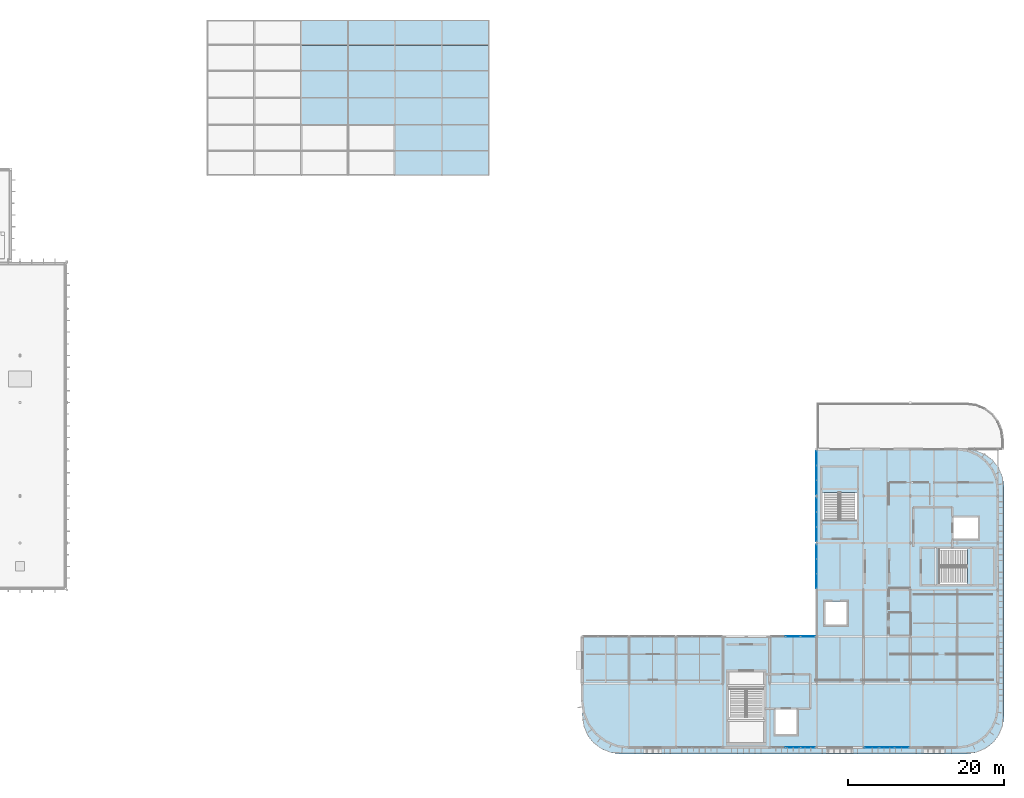
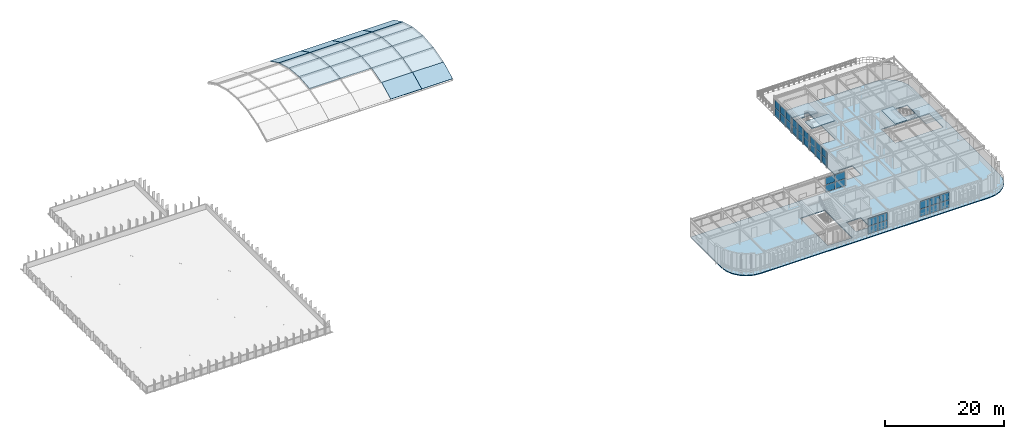
# One storey, part 11 of 27: 32 plates, 25 slabs, 8 elements without a shape of their own.
"""IFC4 building model written with IfcOpenShell, lengths in metres."""

from ifc_helpers import new_model, si_unit, direction, frame, origin, origin_2d, place, context, subcontext, project, spatial, polyline, rectangle, outline, extrude, material, layer, layer_set, type_object, element, aggregate, save


model = new_model("IFC4")

# Units and contexts
model_context = context("Model", 3, precision=1e-05, world=origin(), true_north=direction((0.0, 1.0)))
body_context = subcontext(model_context, "Body", "Model", "MODEL_VIEW")
ifc_project = project(units=[si_unit("LENGTHUNIT", "METRE"), si_unit("AREAUNIT", "SQUARE_METRE"), si_unit("VOLUMEUNIT", "CUBIC_METRE"), si_unit("PLANEANGLEUNIT", "RADIAN"), si_unit("MASSUNIT", "GRAM", prefix="KILO")], contexts=[model_context])

# Site, building, storey
site_placement = place(None, origin())
site = spatial("IfcSite", under=ifc_project, at=site_placement, CompositionType="ELEMENT")
building_placement = place(site_placement, origin())
building = spatial("IfcBuilding", under=site, at=building_placement, Name="Varnakota Square Police Headquarters", CompositionType="ELEMENT")
storey_placement = place(building_placement, frame((0.0, 0.0, 26.10009765625)))
storey = spatial("IfcBuildingStorey", under=building, at=storey_placement, Name="L06", CompositionType="ELEMENT", Elevation=26.10009765625)

# Curtain wall, plates
ifc_material_1 = material(Name="Anodised Aluminium Framing", Category="aluminium")
curtain_wall_type_1 = type_object("IfcCurtainWallType", Name="CW-SYS-F", PredefinedType="NOTDEFINED", material=ifc_material_1)
curtain_wall_1_placement = place(storey_placement, origin())
curtain_wall_1 = element("IfcCurtainWall", 1, at=curtain_wall_1_placement, inside=storey, type_object=curtain_wall_type_1, Name="Unitised curtain wall CWG-L06-111", PredefinedType="NOTDEFINED")
ifc_material_2 = material(Name="Solar-Control Laminated Double Glazing", Category="glass")
ifc_layer_1 = layer(ifc_material_2, 0.028076171875, Name="Solar-Control Laminated Double Glazing")
ifc_layer_set_1 = layer_set([ifc_layer_1], Name="Solar-Control Laminated Double Glazing")
plate_type_1 = type_object("IfcPlateType", Name="CWP-GLZ-28", PredefinedType="CURTAIN_PANEL", material=ifc_layer_set_1)
plate_1_placement = place(storey_placement, frame((135.012451171875, 0.800048828125, 0.06494140625), z_axis=(0.0, 0.0, 1.0), x_axis=(1.0, 0.0, 0.0)))
plate_1 = element("IfcPlate", 2, at=plate_1_placement, type_object=plate_type_1, Name="CWG-L06-111 panel 2.1", PredefinedType="CURTAIN_PANEL", context=body_context, shape_type="SweptSolid", body=[
    extrude(rectangle(XDim=1.856689453125, YDim=0.028076171875, at=origin_2d()), origin(), (0.0, 0.0, 1.0), 1.54248046875),
])
plate_2_placement = place(storey_placement, frame((136.91796875, 0.800048828125, 0.06494140625), z_axis=(0.0, 0.0, 1.0), x_axis=(1.0, 0.0, 0.0)))
plate_2 = element("IfcPlate", 3, at=plate_2_placement, type_object=plate_type_1, Name="CWG-L06-111 panel 3.1", PredefinedType="CURTAIN_PANEL", context=body_context, shape_type="SweptSolid", body=[
    extrude(rectangle(XDim=1.82421875, YDim=0.028076171875, at=origin_2d()), origin(), (0.0, 0.0, 1.0), 1.54248046875),
])

curtain_wall_type_2 = type_object("IfcCurtainWallType", Name="CW-SYS-E", PredefinedType="NOTDEFINED", material=ifc_material_1)
curtain_wall_2_placement = place(storey_placement, origin())
curtain_wall_2 = element("IfcCurtainWall", 4, at=curtain_wall_2_placement, inside=storey, type_object=curtain_wall_type_2, Name="Unitised curtain wall CWG-L06-119", PredefinedType="NOTDEFINED")
plate_3_placement = place(storey_placement, frame((138.0, 34.0986328125, 0.06494140625), z_axis=(0.0, 0.0, 1.0), x_axis=(0.0, 1.0, 0.0)))
plate_3 = element("IfcPlate", 5, at=plate_3_placement, type_object=plate_type_1, Name="CWG-L06-119 panel 1.1", PredefinedType="CURTAIN_PANEL", context=body_context, shape_type="SweptSolid", body=[
    extrude(rectangle(XDim=1.8076171875, YDim=0.028076171875, at=origin_2d()), origin(), (0.0, 0.0, 1.0), 1.517578125),
])
plate_4_placement = place(storey_placement, frame((138.0, 35.987548828125, 0.06494140625), z_axis=(0.0, 0.0, 1.0), x_axis=(0.0, 1.0, 0.0)))
plate_4 = element("IfcPlate", 6, at=plate_4_placement, type_object=plate_type_1, Name="CWG-L06-119 panel 2.1", PredefinedType="CURTAIN_PANEL", context=body_context, shape_type="SweptSolid", body=[
    extrude(rectangle(XDim=1.840087890625, YDim=0.028076171875, at=origin_2d()), origin(), (0.0, 0.0, 1.0), 1.517578125),
])
plate_5_placement = place(storey_placement, frame((138.0, 37.876220703125, 0.06494140625), z_axis=(0.0, 0.0, 1.0), x_axis=(0.0, 1.0, 0.0)))
plate_5 = element("IfcPlate", 7, at=plate_5_placement, type_object=plate_type_1, Name="CWG-L06-119 panel 3.1", PredefinedType="CURTAIN_PANEL", context=body_context, shape_type="SweptSolid", body=[
    extrude(rectangle(XDim=1.8076171875, YDim=0.028076171875, at=origin_2d()), origin(), (0.0, 0.0, 1.0), 1.517578125),
])

curtain_wall_3_placement = place(storey_placement, origin())
curtain_wall_3 = element("IfcCurtainWall", 8, at=curtain_wall_3_placement, inside=storey, type_object=curtain_wall_type_1, Name="Unitised curtain wall CWG-L06-112", PredefinedType="NOTDEFINED")
ifc_material_3 = material(Name="Acoustic Laminated Double Glazing", Category="glass")
ifc_layer_2 = layer(ifc_material_3, 0.031982421875, Name="Acoustic Laminated Double Glazing")
ifc_layer_set_2 = layer_set([ifc_layer_2], Name="Acoustic Laminated Double Glazing")
plate_type_2 = type_object("IfcPlateType", Name="CWP-GLZ-32", PredefinedType="CURTAIN_PANEL", material=ifc_layer_set_2)
plate_6_placement = place(storey_placement, frame((145.10302734375, 0.800048828125, 0.06494140625), z_axis=(0.0, 0.0, 1.0), x_axis=(1.0, 0.0, 0.0)))
plate_6 = element("IfcPlate", 9, at=plate_6_placement, type_object=plate_type_2, Name="CWG-L06-112 panel 1.1", PredefinedType="CURTAIN_PANEL", context=body_context, shape_type="SweptSolid", body=[
    extrude(rectangle(XDim=1.81591796875, YDim=0.031982421875, at=origin_2d()), origin(), (0.0, 0.0, 1.0), 1.54248046875),
])
plate_7_placement = place(storey_placement, frame((147.0, 0.800048828125, 0.06494140625), z_axis=(0.0, 0.0, 1.0), x_axis=(1.0, 0.0, 0.0)))
plate_7 = element("IfcPlate", 10, at=plate_7_placement, type_object=plate_type_2, Name="CWG-L06-112 panel 2.1", PredefinedType="CURTAIN_PANEL", context=body_context, shape_type="SweptSolid", body=[
    extrude(rectangle(XDim=1.848388671875, YDim=0.031982421875, at=origin_2d()), origin(), (0.0, 0.0, 1.0), 1.54248046875),
])
plate_8_placement = place(storey_placement, frame((148.89697265625, 0.800048828125, 0.06494140625), z_axis=(0.0, 0.0, 1.0), x_axis=(1.0, 0.0, 0.0)))
plate_8 = element("IfcPlate", 11, at=plate_8_placement, type_object=plate_type_2, Name="CWG-L06-112 panel 3.1", PredefinedType="CURTAIN_PANEL", context=body_context, shape_type="SweptSolid", body=[
    extrude(rectangle(XDim=1.81591796875, YDim=0.031982421875, at=origin_2d()), origin(), (0.0, 0.0, 1.0), 1.54248046875),
])

curtain_wall_type_3 = type_object("IfcCurtainWallType", Name="CW-SYS-D", PredefinedType="NOTDEFINED", material=ifc_material_1)
curtain_wall_4_placement = place(storey_placement, origin())
curtain_wall_4 = element("IfcCurtainWall", 12, at=curtain_wall_4_placement, inside=storey, type_object=curtain_wall_type_3, Name="Unitised curtain wall CWG-L06-116", PredefinedType="NOTDEFINED")
plate_9_placement = place(storey_placement, frame((135.0, 15.0, 0.06494140625), z_axis=(0.0, 0.0, 1.0), x_axis=(1.0, 0.0, 0.0)))
plate_9 = element("IfcPlate", 13, at=plate_9_placement, type_object=plate_type_2, Name="CWG-L06-116 panel 2.1", PredefinedType="CURTAIN_PANEL", context=body_context, shape_type="SweptSolid", body=[
    extrude(rectangle(XDim=1.848388671875, YDim=0.031982421875, at=origin_2d()), origin(), (0.0, 0.0, 1.0), 1.4423828125),
])
plate_10_placement = place(storey_placement, frame((136.89697265625, 15.0, 0.06494140625), z_axis=(0.0, 0.0, 1.0), x_axis=(1.0, 0.0, 0.0)))
plate_10 = element("IfcPlate", 14, at=plate_10_placement, type_object=plate_type_2, Name="CWG-L06-116 panel 3.1", PredefinedType="CURTAIN_PANEL", context=body_context, shape_type="SweptSolid", body=[
    extrude(rectangle(XDim=1.81591796875, YDim=0.031982421875, at=origin_2d()), origin(), (0.0, 0.0, 1.0), 1.4423828125),
])

curtain_wall_5_placement = place(storey_placement, origin())
curtain_wall_5 = element("IfcCurtainWall", 15, at=curtain_wall_5_placement, inside=storey, type_object=curtain_wall_type_2, Name="Unitised curtain wall CWG-L06-117", PredefinedType="NOTDEFINED")
ifc_material_4 = material(Name="Blast-Resistant Laminated Glazing", Category="glass")
ifc_layer_3 = layer(ifc_material_4, 0.035888671875, Name="Blast-Resistant Laminated Glazing")
ifc_layer_set_3 = layer_set([ifc_layer_3], Name="Blast-Resistant Laminated Glazing")
plate_type_3 = type_object("IfcPlateType", Name="CWP-GLZ-36", PredefinedType="CURTAIN_PANEL", material=ifc_layer_set_3)
plate_11_placement = place(storey_placement, frame((138.0, 22.11962890625, 0.06494140625), z_axis=(0.0, 0.0, 1.0), x_axis=(0.0, 1.0, 0.0)))
plate_11 = element("IfcPlate", 16, at=plate_11_placement, type_object=plate_type_3, Name="CWG-L06-117 panel 1.1", PredefinedType="CURTAIN_PANEL", context=body_context, shape_type="SweptSolid", body=[
    extrude(rectangle(XDim=1.799072265625, YDim=0.035888671875, at=origin_2d()), origin(), (0.0, 0.0, 1.0), 1.4423828125),
])
plate_12_placement = place(storey_placement, frame((138.0, 24.0, 0.06494140625), z_axis=(0.0, 0.0, 1.0), x_axis=(0.0, 1.0, 0.0)))
plate_12 = element("IfcPlate", 17, at=plate_12_placement, type_object=plate_type_3, Name="CWG-L06-117 panel 2.1", PredefinedType="CURTAIN_PANEL", context=body_context, shape_type="SweptSolid", body=[
    extrude(rectangle(XDim=1.831787109375, YDim=0.035888671875, at=origin_2d()), origin(), (0.0, 0.0, 1.0), 1.4423828125),
])
plate_13_placement = place(storey_placement, frame((138.0, 25.88037109375, 0.06494140625), z_axis=(0.0, 0.0, 1.0), x_axis=(0.0, 1.0, 0.0)))
plate_13 = element("IfcPlate", 18, at=plate_13_placement, type_object=plate_type_3, Name="CWG-L06-117 panel 3.1", PredefinedType="CURTAIN_PANEL", context=body_context, shape_type="SweptSolid", body=[
    extrude(rectangle(XDim=1.799072265625, YDim=0.035888671875, at=origin_2d()), origin(), (0.0, 0.0, 1.0), 1.4423828125),
])

curtain_wall_6_placement = place(storey_placement, origin())
curtain_wall_6 = element("IfcCurtainWall", 19, at=curtain_wall_6_placement, inside=storey, type_object=curtain_wall_type_2, Name="Unitised curtain wall CWG-L06-118", PredefinedType="NOTDEFINED")
ifc_material_5 = material(Name="Triple-Glazed Clean-Lab Vision Unit", Category="aluminium")
ifc_layer_4 = layer(ifc_material_5, 0.0419921875, Name="Triple-Glazed Clean-Lab Vision Unit")
ifc_layer_set_4 = layer_set([ifc_layer_4], Name="Triple-Glazed Clean-Lab Vision Unit")
plate_type_4 = type_object("IfcPlateType", Name="CWP-GLZ-42", PredefinedType="CURTAIN_PANEL", material=ifc_layer_set_4)
plate_14_placement = place(storey_placement, frame((138.0, 28.123779296875, 0.06494140625), z_axis=(0.0, 0.0, 1.0), x_axis=(0.0, 1.0, 0.0)))
plate_14 = element("IfcPlate", 20, at=plate_14_placement, type_object=plate_type_4, Name="CWG-L06-118 panel 1.1", PredefinedType="CURTAIN_PANEL", context=body_context, shape_type="SweptSolid", body=[
    extrude(rectangle(XDim=1.8076171875, YDim=0.0419921875, at=origin_2d()), origin(), (0.0, 0.0, 1.0), 1.4423828125),
])
plate_15_placement = place(storey_placement, frame((138.0, 30.012451171875, 0.06494140625), z_axis=(0.0, 0.0, 1.0), x_axis=(0.0, 1.0, 0.0)))
plate_15 = element("IfcPlate", 21, at=plate_15_placement, type_object=plate_type_4, Name="CWG-L06-118 panel 2.1", PredefinedType="CURTAIN_PANEL", context=body_context, shape_type="SweptSolid", body=[
    extrude(rectangle(XDim=1.840087890625, YDim=0.0419921875, at=origin_2d()), origin(), (0.0, 0.0, 1.0), 1.4423828125),
])
plate_16_placement = place(storey_placement, frame((138.0, 31.9013671875, 0.06494140625), z_axis=(0.0, 0.0, 1.0), x_axis=(0.0, 1.0, 0.0)))
plate_16 = element("IfcPlate", 22, at=plate_16_placement, type_object=plate_type_4, Name="CWG-L06-118 panel 3.1", PredefinedType="CURTAIN_PANEL", context=body_context, shape_type="SweptSolid", body=[
    extrude(rectangle(XDim=1.8076171875, YDim=0.0419921875, at=origin_2d()), origin(), (0.0, 0.0, 1.0), 1.4423828125),
])

# Plate
ifc_material_6 = material(Name="Insulated Anodised Aluminium Spandrel Panel", Category="aluminium")
ifc_layer_5 = layer(ifc_material_6, 0.050048828125, Name="Insulated Anodised Aluminium Spandrel Panel")
ifc_layer_set_5 = layer_set([ifc_layer_5], Name="Insulated Anodised Aluminium Spandrel Panel")
plate_type_5 = type_object("IfcPlateType", Name="CWP-SPN-50", PredefinedType="CURTAIN_PANEL", material=ifc_layer_set_5)
plate_17_placement = place(storey_placement, frame((135.012451171875, 0.800048828125, 1.67236328125), z_axis=(0.0, 0.0, 1.0), x_axis=(1.0, 0.0, 0.0)))
plate_17 = element("IfcPlate", 23, at=plate_17_placement, type_object=plate_type_5, Name="CWG-L06-111 panel 2.2", PredefinedType="CURTAIN_PANEL", context=body_context, shape_type="SweptSolid", body=[
    extrude(rectangle(XDim=1.856689453125, YDim=0.050048828125, at=origin_2d()), origin(), (0.0, 0.0, 1.0), 1.54248046875),
])

plate_18_placement = place(storey_placement, frame((136.91796875, 0.800048828125, 1.67236328125), z_axis=(0.0, 0.0, 1.0), x_axis=(1.0, 0.0, 0.0)))
plate_18 = element("IfcPlate", 24, at=plate_18_placement, type_object=plate_type_5, Name="CWG-L06-111 panel 3.2", PredefinedType="CURTAIN_PANEL", context=body_context, shape_type="SweptSolid", body=[
    extrude(rectangle(XDim=1.82421875, YDim=0.050048828125, at=origin_2d()), origin(), (0.0, 0.0, 1.0), 1.54248046875),
])

aggregate(curtain_wall_1, [plate_1, plate_17, plate_2, plate_18])

plate_19_placement = place(storey_placement, frame((138.0, 22.11962890625, 1.572509765625), z_axis=(0.0, 0.0, 1.0), x_axis=(0.0, 1.0, 0.0)))
plate_19 = element("IfcPlate", 25, at=plate_19_placement, type_object=plate_type_5, Name="CWG-L06-117 panel 1.2", PredefinedType="CURTAIN_PANEL", context=body_context, shape_type="SweptSolid", body=[
    extrude(rectangle(XDim=1.799072265625, YDim=0.050048828125, at=origin_2d()), origin(), (0.0, 0.0, 1.0), 1.4423828125),
])

plate_20_placement = place(storey_placement, frame((138.0, 24.0, 1.572509765625), z_axis=(0.0, 0.0, 1.0), x_axis=(0.0, 1.0, 0.0)))
plate_20 = element("IfcPlate", 26, at=plate_20_placement, type_object=plate_type_5, Name="CWG-L06-117 panel 2.2", PredefinedType="CURTAIN_PANEL", context=body_context, shape_type="SweptSolid", body=[
    extrude(rectangle(XDim=1.831787109375, YDim=0.050048828125, at=origin_2d()), origin(), (0.0, 0.0, 1.0), 1.4423828125),
])

plate_21_placement = place(storey_placement, frame((138.0, 25.88037109375, 1.572509765625), z_axis=(0.0, 0.0, 1.0), x_axis=(0.0, 1.0, 0.0)))
plate_21 = element("IfcPlate", 27, at=plate_21_placement, type_object=plate_type_5, Name="CWG-L06-117 panel 3.2", PredefinedType="CURTAIN_PANEL", context=body_context, shape_type="SweptSolid", body=[
    extrude(rectangle(XDim=1.799072265625, YDim=0.050048828125, at=origin_2d()), origin(), (0.0, 0.0, 1.0), 1.4423828125),
])

aggregate(curtain_wall_5, [plate_11, plate_19, plate_12, plate_20, plate_13, plate_21])

plate_22_placement = place(storey_placement, frame((138.0, 34.0986328125, 1.6474609375), z_axis=(0.0, 0.0, 1.0), x_axis=(0.0, 1.0, 0.0)))
plate_22 = element("IfcPlate", 28, at=plate_22_placement, type_object=plate_type_5, Name="CWG-L06-119 panel 1.2", PredefinedType="CURTAIN_PANEL", context=body_context, shape_type="SweptSolid", body=[
    extrude(rectangle(XDim=1.8076171875, YDim=0.050048828125, at=origin_2d()), origin(), (0.0, 0.0, 1.0), 1.517578125),
])

plate_23_placement = place(storey_placement, frame((138.0, 35.987548828125, 1.6474609375), z_axis=(0.0, 0.0, 1.0), x_axis=(0.0, 1.0, 0.0)))
plate_23 = element("IfcPlate", 29, at=plate_23_placement, type_object=plate_type_5, Name="CWG-L06-119 panel 2.2", PredefinedType="CURTAIN_PANEL", context=body_context, shape_type="SweptSolid", body=[
    extrude(rectangle(XDim=1.840087890625, YDim=0.050048828125, at=origin_2d()), origin(), (0.0, 0.0, 1.0), 1.517578125),
])

plate_24_placement = place(storey_placement, frame((138.0, 37.876220703125, 1.6474609375), z_axis=(0.0, 0.0, 1.0), x_axis=(0.0, 1.0, 0.0)))
plate_24 = element("IfcPlate", 30, at=plate_24_placement, type_object=plate_type_5, Name="CWG-L06-119 panel 3.2", PredefinedType="CURTAIN_PANEL", context=body_context, shape_type="SweptSolid", body=[
    extrude(rectangle(XDim=1.8076171875, YDim=0.050048828125, at=origin_2d()), origin(), (0.0, 0.0, 1.0), 1.517578125),
])

aggregate(curtain_wall_2, [plate_3, plate_22, plate_4, plate_23, plate_5, plate_24])

ifc_material_7 = material(Name="Fire-Stopped Mineral-Wool Spandrel Panel", Category="aluminium")
ifc_layer_6 = layer(ifc_material_7, 0.06005859375, Name="Fire-Stopped Mineral-Wool Spandrel Panel")
ifc_layer_set_6 = layer_set([ifc_layer_6], Name="Fire-Stopped Mineral-Wool Spandrel Panel")
plate_type_6 = type_object("IfcPlateType", Name="CWP-SPN-60", PredefinedType="CURTAIN_PANEL", material=ifc_layer_set_6)
plate_25_placement = place(storey_placement, frame((145.10302734375, 0.800048828125, 1.67236328125), z_axis=(0.0, 0.0, 1.0), x_axis=(1.0, 0.0, 0.0)))
plate_25 = element("IfcPlate", 31, at=plate_25_placement, type_object=plate_type_6, Name="CWG-L06-112 panel 1.2", PredefinedType="CURTAIN_PANEL", context=body_context, shape_type="SweptSolid", body=[
    extrude(rectangle(XDim=1.81591796875, YDim=0.06005859375, at=origin_2d()), origin(), (0.0, 0.0, 1.0), 1.54248046875),
])

plate_26_placement = place(storey_placement, frame((147.0, 0.800048828125, 1.67236328125), z_axis=(0.0, 0.0, 1.0), x_axis=(1.0, 0.0, 0.0)))
plate_26 = element("IfcPlate", 32, at=plate_26_placement, type_object=plate_type_6, Name="CWG-L06-112 panel 2.2", PredefinedType="CURTAIN_PANEL", context=body_context, shape_type="SweptSolid", body=[
    extrude(rectangle(XDim=1.848388671875, YDim=0.06005859375, at=origin_2d()), origin(), (0.0, 0.0, 1.0), 1.54248046875),
])

plate_27_placement = place(storey_placement, frame((148.89697265625, 0.800048828125, 1.67236328125), z_axis=(0.0, 0.0, 1.0), x_axis=(1.0, 0.0, 0.0)))
plate_27 = element("IfcPlate", 33, at=plate_27_placement, type_object=plate_type_6, Name="CWG-L06-112 panel 3.2", PredefinedType="CURTAIN_PANEL", context=body_context, shape_type="SweptSolid", body=[
    extrude(rectangle(XDim=1.81591796875, YDim=0.06005859375, at=origin_2d()), origin(), (0.0, 0.0, 1.0), 1.54248046875),
])

aggregate(curtain_wall_3, [plate_6, plate_25, plate_7, plate_26, plate_8, plate_27])

plate_28_placement = place(storey_placement, frame((135.0, 15.0, 1.572509765625), z_axis=(0.0, 0.0, 1.0), x_axis=(1.0, 0.0, 0.0)))
plate_28 = element("IfcPlate", 34, at=plate_28_placement, type_object=plate_type_6, Name="CWG-L06-116 panel 2.2", PredefinedType="CURTAIN_PANEL", context=body_context, shape_type="SweptSolid", body=[
    extrude(rectangle(XDim=1.848388671875, YDim=0.06005859375, at=origin_2d()), origin(), (0.0, 0.0, 1.0), 1.4423828125),
])

plate_29_placement = place(storey_placement, frame((136.89697265625, 15.0, 1.572509765625), z_axis=(0.0, 0.0, 1.0), x_axis=(1.0, 0.0, 0.0)))
plate_29 = element("IfcPlate", 35, at=plate_29_placement, type_object=plate_type_6, Name="CWG-L06-116 panel 3.2", PredefinedType="CURTAIN_PANEL", context=body_context, shape_type="SweptSolid", body=[
    extrude(rectangle(XDim=1.81591796875, YDim=0.06005859375, at=origin_2d()), origin(), (0.0, 0.0, 1.0), 1.4423828125),
])

aggregate(curtain_wall_4, [plate_9, plate_28, plate_10, plate_29])

plate_30_placement = place(storey_placement, frame((138.0, 28.123779296875, 1.572509765625), z_axis=(0.0, 0.0, 1.0), x_axis=(0.0, 1.0, 0.0)))
plate_30 = element("IfcPlate", 36, at=plate_30_placement, type_object=plate_type_6, Name="CWG-L06-118 panel 1.2", PredefinedType="CURTAIN_PANEL", context=body_context, shape_type="SweptSolid", body=[
    extrude(rectangle(XDim=1.8076171875, YDim=0.06005859375, at=origin_2d()), origin(), (0.0, 0.0, 1.0), 1.4423828125),
])

plate_31_placement = place(storey_placement, frame((138.0, 30.012451171875, 1.572509765625), z_axis=(0.0, 0.0, 1.0), x_axis=(0.0, 1.0, 0.0)))
plate_31 = element("IfcPlate", 37, at=plate_31_placement, type_object=plate_type_6, Name="CWG-L06-118 panel 2.2", PredefinedType="CURTAIN_PANEL", context=body_context, shape_type="SweptSolid", body=[
    extrude(rectangle(XDim=1.840087890625, YDim=0.06005859375, at=origin_2d()), origin(), (0.0, 0.0, 1.0), 1.4423828125),
])

plate_32_placement = place(storey_placement, frame((138.0, 31.9013671875, 1.572509765625), z_axis=(0.0, 0.0, 1.0), x_axis=(0.0, 1.0, 0.0)))
plate_32 = element("IfcPlate", 38, at=plate_32_placement, type_object=plate_type_6, Name="CWG-L06-118 panel 3.2", PredefinedType="CURTAIN_PANEL", context=body_context, shape_type="SweptSolid", body=[
    extrude(rectangle(XDim=1.8076171875, YDim=0.06005859375, at=origin_2d()), origin(), (0.0, 0.0, 1.0), 1.4423828125),
])

aggregate(curtain_wall_6, [plate_14, plate_30, plate_15, plate_31, plate_16, plate_32])

# Slabs
ifc_material_8 = material(Name="Concrete M40", Category="concrete")
ifc_layer_7 = layer(ifc_material_8, 0.179931640625, Name="Concrete M40")
ifc_layer_set_7 = layer_set([ifc_layer_7], Name="Concrete M40")
slab_type_1 = type_object("IfcSlabType", Name="SL-COMP-180", PredefinedType="FLOOR", material=ifc_layer_set_7)
slab_1_placement = place(storey_placement, frame((0.0, 0.0, -0.18017578125)))
element("IfcSlab", 39, at=slab_1_placement, inside=storey, type_object=slab_type_1, Name="L06 Economic Offences and Women Safety Slab", PredefinedType="FLOOR", context=body_context, shape_type="SweptSolid", body=[
    extrude(outline(polyline([(108.0, 4.800048828125), (108.16357421875, 3.5576171875), (108.64306640625, 2.39990234375), (109.406005859375, 1.406005859375), (110.39990234375, 0.64306640625), (111.5576171875, 0.16357421875), (112.800048828125, 0.0), (157.199951171875, 0.0), (158.4423828125, 0.16357421875), (159.60009765625, 0.64306640625), (160.593994140625, 1.406005859375), (161.35693359375, 2.39990234375), (161.83642578125, 3.5576171875), (162.0, 4.800048828125), (162.0, 34.199951171875), (161.83642578125, 35.4423828125), (161.35693359375, 36.60009765625), (160.593994140625, 37.593994140625), (159.60009765625, 38.35693359375), (158.4423828125, 38.83642578125), (157.199951171875, 39.0), (138.0, 39.0), (138.0, 15.0), (108.0, 15.0), (108.0, 4.800048828125)]), holes=[polyline([(126.655029296875, 1.304931640625), (131.344970703125, 1.304931640625), (131.344970703125, 10.594970703125), (126.655029296875, 10.594970703125), (126.655029296875, 1.304931640625)]), polyline([(132.715087890625, 2.514892578125), (135.485107421875, 2.514892578125), (135.485107421875, 5.68505859375), (132.715087890625, 5.68505859375), (132.715087890625, 2.514892578125)]), polyline([(151.405029296875, 21.655029296875), (160.695068359375, 21.655029296875), (160.695068359375, 26.344970703125), (151.405029296875, 26.344970703125), (151.405029296875, 21.655029296875)]), polyline([(155.514892578125, 27.514892578125), (158.68505859375, 27.514892578125), (158.68505859375, 30.284912109375), (155.514892578125, 30.284912109375), (155.514892578125, 27.514892578125)]), polyline([(138.655029296875, 27.554931640625), (143.2451171875, 27.554931640625), (143.2451171875, 36.7451171875), (138.655029296875, 36.7451171875), (138.655029296875, 27.554931640625)]), polyline([(139.114990234375, 16.514892578125), (141.885009765625, 16.514892578125), (141.885009765625, 19.485107421875), (139.114990234375, 19.485107421875), (139.114990234375, 16.514892578125)])]), origin(), (0.0, 0.0, 1.0), 0.18017578125),
])
ifc_layer_8 = layer(ifc_material_8, 0.139892578125, Name="Concrete M40")
ifc_layer_set_8 = layer_set([ifc_layer_8], Name="Concrete M40")
slab_type_2 = type_object("IfcSlabType", Name="SL-VLT-140", PredefinedType="ROOF", material=ifc_layer_set_8)
for number, where, z_axis, x_axis, name in (
    (40, (72.0, 80.54248046875, 3.2783203125), (0.0, -0.092595811122, 0.995703779124), (1.0, 0.0, 0.0), "Barrel vault roof deck strip V2-B03-S05"),
    (41, (72.0, 84.0, 3.599853515625), (0.0, 0.092595811122, 0.995703779124), (1.0, 0.0, 0.0), "Barrel vault roof deck strip V2-B03-S06"),
):
    element("IfcSlab", number, at=place(storey_placement, frame(where, z_axis=z_axis, x_axis=x_axis)), inside=storey, type_object=slab_type_2, Name=name, PredefinedType="ROOF", context=body_context, shape_type="SweptSolid", body=[
        extrude(outline(polyline([(0.0, 0.0), (6.0, 0.0), (6.0, 3.4724378914081444), (0.0, 3.4724378914081444), (0.0, 0.0)])), origin(), (0.0, 0.0, -1.0), 0.139892578125),
    ])
slab_2_placement = place(storey_placement, frame((72.0, 87.45751953125, 3.2783203125), z_axis=(0.0, 0.274628265229, 0.961550474981), x_axis=(1.0, 0.0, 0.0)))
element("IfcSlab", 42, at=slab_2_placement, inside=storey, type_object=slab_type_2, Name="Barrel vault roof deck strip V2-B03-S07", PredefinedType="ROOF", context=body_context, shape_type="SweptSolid", body=[
    extrude(outline(polyline([(0.0, 0.0), (6.0, 0.0), (6.0, 3.4723784911700735), (0.0, 3.4723784911700735), (0.0, 0.0)])), origin(), (0.0, 0.0, -1.0), 0.139892578125),
])
slab_3_placement = place(storey_placement, frame((72.0, 90.79638671875, 2.32470703125), z_axis=(0.0, 0.447185470407, 0.894441252994), x_axis=(1.0, 0.0, 0.0)))
element("IfcSlab", 43, at=slab_3_placement, inside=storey, type_object=slab_type_2, Name="Barrel vault roof deck strip V2-B03-S08", PredefinedType="ROOF", context=body_context, shape_type="SweptSolid", body=[
    extrude(outline(polyline([(0.0, 0.0), (6.0, 0.0), (6.0, 3.472237981230684), (0.0, 3.472237981230684), (0.0, 0.0)])), origin(), (0.0, 0.0, -1.0), 0.139892578125),
])
for number, where, z_axis, x_axis, name in (
    (44, (78.0, 80.54248046875, 3.2783203125), (0.0, -0.092595811122, 0.995703779124), (1.0, 0.0, 0.0), "Barrel vault roof deck strip V2-B04-S05"),
    (45, (78.0, 84.0, 3.599853515625), (0.0, 0.092595811122, 0.995703779124), (1.0, 0.0, 0.0), "Barrel vault roof deck strip V2-B04-S06"),
):
    element("IfcSlab", number, at=place(storey_placement, frame(where, z_axis=z_axis, x_axis=x_axis)), inside=storey, type_object=slab_type_2, Name=name, PredefinedType="ROOF", context=body_context, shape_type="SweptSolid", body=[
        extrude(outline(polyline([(0.0, 0.0), (6.0, 0.0), (6.0, 3.4724378914081444), (0.0, 3.4724378914081444), (0.0, 0.0)])), origin(), (0.0, 0.0, -1.0), 0.139892578125),
    ])
slab_4_placement = place(storey_placement, frame((78.0, 87.45751953125, 3.2783203125), z_axis=(0.0, 0.274628265229, 0.961550474981), x_axis=(1.0, 0.0, 0.0)))
element("IfcSlab", 46, at=slab_4_placement, inside=storey, type_object=slab_type_2, Name="Barrel vault roof deck strip V2-B04-S07", PredefinedType="ROOF", context=body_context, shape_type="SweptSolid", body=[
    extrude(outline(polyline([(0.0, 0.0), (6.0, 0.0), (6.0, 3.4723784911700735), (0.0, 3.4723784911700735), (0.0, 0.0)])), origin(), (0.0, 0.0, -1.0), 0.139892578125),
])
for number, where, z_axis, x_axis, name in (
    (47, (78.0, 90.79638671875, 2.32470703125), (0.0, 0.447185470407, 0.894441252994), (1.0, 0.0, 0.0), "Barrel vault roof deck strip V2-B04-S08"),
    (48, (84.0, 74.097900390625, 0.77197265625), (0.0, -0.447185470407, 0.894441252994), (1.0, 0.0, 0.0), "Barrel vault roof deck strip V2-B05-S03"),
):
    element("IfcSlab", number, at=place(storey_placement, frame(where, z_axis=z_axis, x_axis=x_axis)), inside=storey, type_object=slab_type_2, Name=name, PredefinedType="ROOF", context=body_context, shape_type="SweptSolid", body=[
        extrude(outline(polyline([(0.0, 0.0), (6.0, 0.0), (6.0, 3.472237981230684), (0.0, 3.472237981230684), (0.0, 0.0)])), origin(), (0.0, 0.0, -1.0), 0.139892578125),
    ])
slab_5_placement = place(storey_placement, frame((84.0, 77.20361328125, 2.32470703125), z_axis=(0.0, -0.274628265229, 0.961550474981), x_axis=(1.0, 0.0, 0.0)))
element("IfcSlab", 49, at=slab_5_placement, inside=storey, type_object=slab_type_2, Name="Barrel vault roof deck strip V2-B05-S04", PredefinedType="ROOF", context=body_context, shape_type="SweptSolid", body=[
    extrude(outline(polyline([(0.0, 0.0), (6.0, 0.0), (6.0, 3.4723784911700735), (0.0, 3.4723784911700735), (0.0, 0.0)])), origin(), (0.0, 0.0, -1.0), 0.139892578125),
])
for number, where, z_axis, x_axis, name in (
    (50, (84.0, 80.54248046875, 3.2783203125), (0.0, -0.092595811122, 0.995703779124), (1.0, 0.0, 0.0), "Barrel vault roof deck strip V2-B05-S05"),
    (51, (84.0, 84.0, 3.599853515625), (0.0, 0.092595811122, 0.995703779124), (1.0, 0.0, 0.0), "Barrel vault roof deck strip V2-B05-S06"),
):
    element("IfcSlab", number, at=place(storey_placement, frame(where, z_axis=z_axis, x_axis=x_axis)), inside=storey, type_object=slab_type_2, Name=name, PredefinedType="ROOF", context=body_context, shape_type="SweptSolid", body=[
        extrude(outline(polyline([(0.0, 0.0), (6.0, 0.0), (6.0, 3.4724378914081444), (0.0, 3.4724378914081444), (0.0, 0.0)])), origin(), (0.0, 0.0, -1.0), 0.139892578125),
    ])
slab_6_placement = place(storey_placement, frame((84.0, 87.45751953125, 3.2783203125), z_axis=(0.0, 0.274628265229, 0.961550474981), x_axis=(1.0, 0.0, 0.0)))
element("IfcSlab", 52, at=slab_6_placement, inside=storey, type_object=slab_type_2, Name="Barrel vault roof deck strip V2-B05-S07", PredefinedType="ROOF", context=body_context, shape_type="SweptSolid", body=[
    extrude(outline(polyline([(0.0, 0.0), (6.0, 0.0), (6.0, 3.4723784911700735), (0.0, 3.4723784911700735), (0.0, 0.0)])), origin(), (0.0, 0.0, -1.0), 0.139892578125),
])
for number, where, z_axis, x_axis, name in (
    (53, (84.0, 90.79638671875, 2.32470703125), (0.0, 0.447185470407, 0.894441252994), (1.0, 0.0, 0.0), "Barrel vault roof deck strip V2-B05-S08"),
    (54, (90.0, 74.097900390625, 0.77197265625), (0.0, -0.447185470407, 0.894441252994), (1.0, 0.0, 0.0), "Barrel vault roof deck strip V2-B06-S03"),
):
    element("IfcSlab", number, at=place(storey_placement, frame(where, z_axis=z_axis, x_axis=x_axis)), inside=storey, type_object=slab_type_2, Name=name, PredefinedType="ROOF", context=body_context, shape_type="SweptSolid", body=[
        extrude(outline(polyline([(0.0, 0.0), (6.0, 0.0), (6.0, 3.472237981230684), (0.0, 3.472237981230684), (0.0, 0.0)])), origin(), (0.0, 0.0, -1.0), 0.139892578125),
    ])
slab_7_placement = place(storey_placement, frame((90.0, 77.20361328125, 2.32470703125), z_axis=(0.0, -0.274628265229, 0.961550474981), x_axis=(1.0, 0.0, 0.0)))
element("IfcSlab", 55, at=slab_7_placement, inside=storey, type_object=slab_type_2, Name="Barrel vault roof deck strip V2-B06-S04", PredefinedType="ROOF", context=body_context, shape_type="SweptSolid", body=[
    extrude(outline(polyline([(0.0, 0.0), (6.0, 0.0), (6.0, 3.4723784911700735), (0.0, 3.4723784911700735), (0.0, 0.0)])), origin(), (0.0, 0.0, -1.0), 0.139892578125),
])
for number, where, z_axis, x_axis, name in (
    (56, (90.0, 80.54248046875, 3.2783203125), (0.0, -0.092595811122, 0.995703779124), (1.0, 0.0, 0.0), "Barrel vault roof deck strip V2-B06-S05"),
    (57, (90.0, 84.0, 3.599853515625), (0.0, 0.092595811122, 0.995703779124), (1.0, 0.0, 0.0), "Barrel vault roof deck strip V2-B06-S06"),
):
    element("IfcSlab", number, at=place(storey_placement, frame(where, z_axis=z_axis, x_axis=x_axis)), inside=storey, type_object=slab_type_2, Name=name, PredefinedType="ROOF", context=body_context, shape_type="SweptSolid", body=[
        extrude(outline(polyline([(0.0, 0.0), (6.0, 0.0), (6.0, 3.4724378914081444), (0.0, 3.4724378914081444), (0.0, 0.0)])), origin(), (0.0, 0.0, -1.0), 0.139892578125),
    ])
slab_8_placement = place(storey_placement, frame((90.0, 87.45751953125, 3.2783203125), z_axis=(0.0, 0.274628265229, 0.961550474981), x_axis=(1.0, 0.0, 0.0)))
element("IfcSlab", 58, at=slab_8_placement, inside=storey, type_object=slab_type_2, Name="Barrel vault roof deck strip V2-B06-S07", PredefinedType="ROOF", context=body_context, shape_type="SweptSolid", body=[
    extrude(outline(polyline([(0.0, 0.0), (6.0, 0.0), (6.0, 3.4723784911700735), (0.0, 3.4723784911700735), (0.0, 0.0)])), origin(), (0.0, 0.0, -1.0), 0.139892578125),
])
slab_9_placement = place(storey_placement, frame((90.0, 90.79638671875, 2.32470703125), z_axis=(0.0, 0.447185470407, 0.894441252994), x_axis=(1.0, 0.0, 0.0)))
element("IfcSlab", 59, at=slab_9_placement, inside=storey, type_object=slab_type_2, Name="Barrel vault roof deck strip V2-B06-S08", PredefinedType="ROOF", context=body_context, shape_type="SweptSolid", body=[
    extrude(outline(polyline([(0.0, 0.0), (6.0, 0.0), (6.0, 3.472237981230684), (0.0, 3.472237981230684), (0.0, 0.0)])), origin(), (0.0, 0.0, -1.0), 0.139892578125),
])

# Stair, slabs
stair_type_1 = type_object("IfcStairType", Name="STR-DOG-1900", PredefinedType="USERDEFINED", material=ifc_material_8)
stair_1_placement = place(storey_placement, origin())
stair_1 = element("IfcStair", 60, at=stair_1_placement, inside=storey, type_object=stair_type_1, Name="Protected exit stair ST3 (L06)", ObjectType="TWO_RETURN_STAIR", PredefinedType="USERDEFINED")
ifc_layer_9 = layer(ifc_material_8, 0.162109375, Name="Concrete M40")
ifc_layer_set_9 = layer_set([ifc_layer_9], Name="Concrete M40")
slab_type_3 = type_object("IfcSlabType", Name="SLB-LND-1900", PredefinedType="LANDING", material=ifc_layer_set_9)
slab_10_placement = place(storey_placement, frame((0.0, 0.0, 1.787841796875)))
slab_10 = element("IfcSlab", 61, at=slab_10_placement, type_object=slab_type_3, Name="ST3-L06 landing 1", PredefinedType="LANDING", context=body_context, shape_type="SweptSolid", body=[
    extrude(outline(polyline([(138.659912109375, 33.45068359375), (143.239990234375, 33.45068359375), (143.239990234375, 36.739990234375), (138.659912109375, 36.739990234375), (138.659912109375, 33.45068359375)])), origin(), (0.0, 0.0, 1.0), 0.162109375),
])
slab_11_placement = place(storey_placement, frame((0.0, 0.0, 3.73779296875)))
slab_11 = element("IfcSlab", 62, at=slab_11_placement, type_object=slab_type_3, Name="ST3-L06 landing 2", PredefinedType="LANDING", context=body_context, shape_type="SweptSolid", body=[
    extrude(outline(polyline([(138.659912109375, 27.56005859375), (143.239990234375, 27.56005859375), (143.239990234375, 29.85009765625), (138.659912109375, 29.85009765625), (138.659912109375, 27.56005859375)])), origin(), (0.0, 0.0, 1.0), 0.162109375),
])
aggregate(stair_1, [slab_10, slab_11])

stair_type_2 = type_object("IfcStairType", Name="STR-DOG-2000", PredefinedType="USERDEFINED", material=ifc_material_8)
stair_2_placement = place(storey_placement, origin())
stair_2 = element("IfcStair", 63, at=stair_2_placement, inside=storey, type_object=stair_type_2, Name="Protected exit stair ST2 (L06)", ObjectType="TWO_RETURN_STAIR", PredefinedType="USERDEFINED")
ifc_layer_10 = layer(ifc_material_8, 0.166015625, Name="Concrete M40")
ifc_layer_set_10 = layer_set([ifc_layer_10], Name="Concrete M40")
slab_type_4 = type_object("IfcSlabType", Name="SLB-LND-2000", PredefinedType="LANDING", material=ifc_layer_set_10)
slab_12_placement = place(storey_placement, frame((0.0, 0.0, 1.783935546875)))
slab_12 = element("IfcSlab", 64, at=slab_12_placement, type_object=slab_type_4, Name="ST2-L06 landing 1", PredefinedType="LANDING", context=body_context, shape_type="SweptSolid", body=[
    extrude(outline(polyline([(157.300537109375, 21.659912109375), (160.68994140625, 21.659912109375), (160.68994140625, 26.340087890625), (157.300537109375, 26.340087890625), (157.300537109375, 21.659912109375)])), origin(), (0.0, 0.0, 1.0), 0.166015625),
])
slab_13_placement = place(storey_placement, frame((0.0, 0.0, 3.73388671875)))
slab_13 = element("IfcSlab", 65, at=slab_13_placement, type_object=slab_type_4, Name="ST2-L06 landing 2", PredefinedType="LANDING", context=body_context, shape_type="SweptSolid", body=[
    extrude(outline(polyline([(151.409912109375, 21.659912109375), (153.699951171875, 21.659912109375), (153.699951171875, 26.340087890625), (151.409912109375, 26.340087890625), (151.409912109375, 21.659912109375)])), origin(), (0.0, 0.0, 1.0), 0.166015625),
])
aggregate(stair_2, [slab_12, slab_13])

save(model, "model.ifc")
